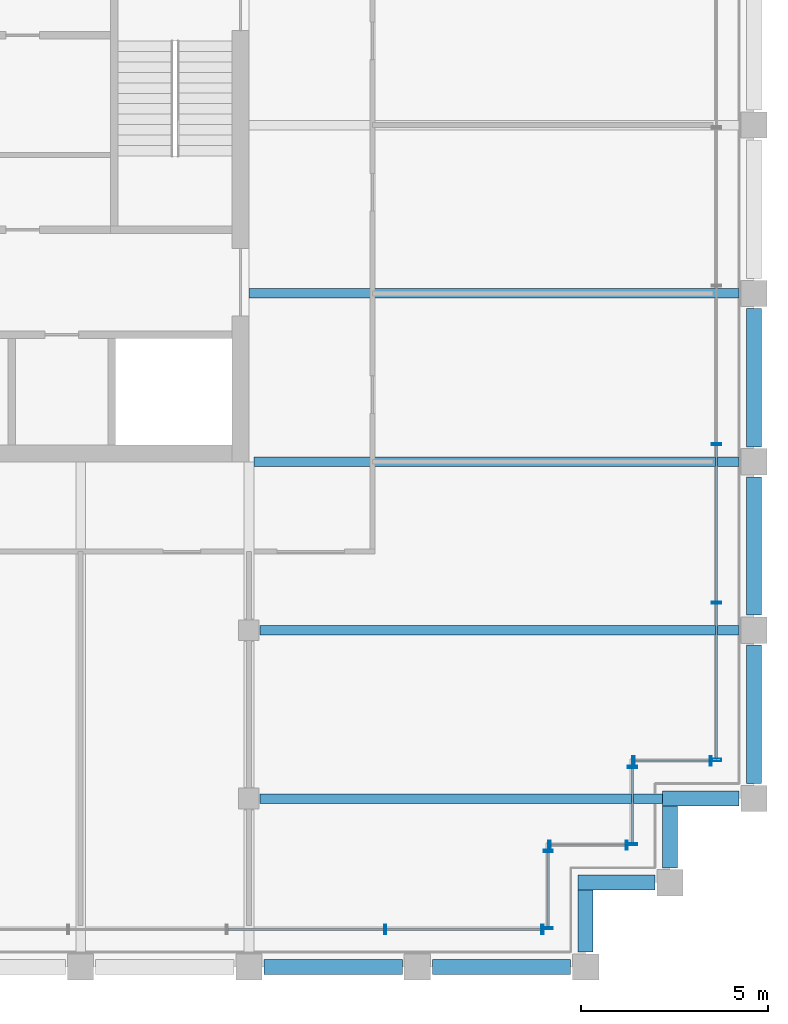
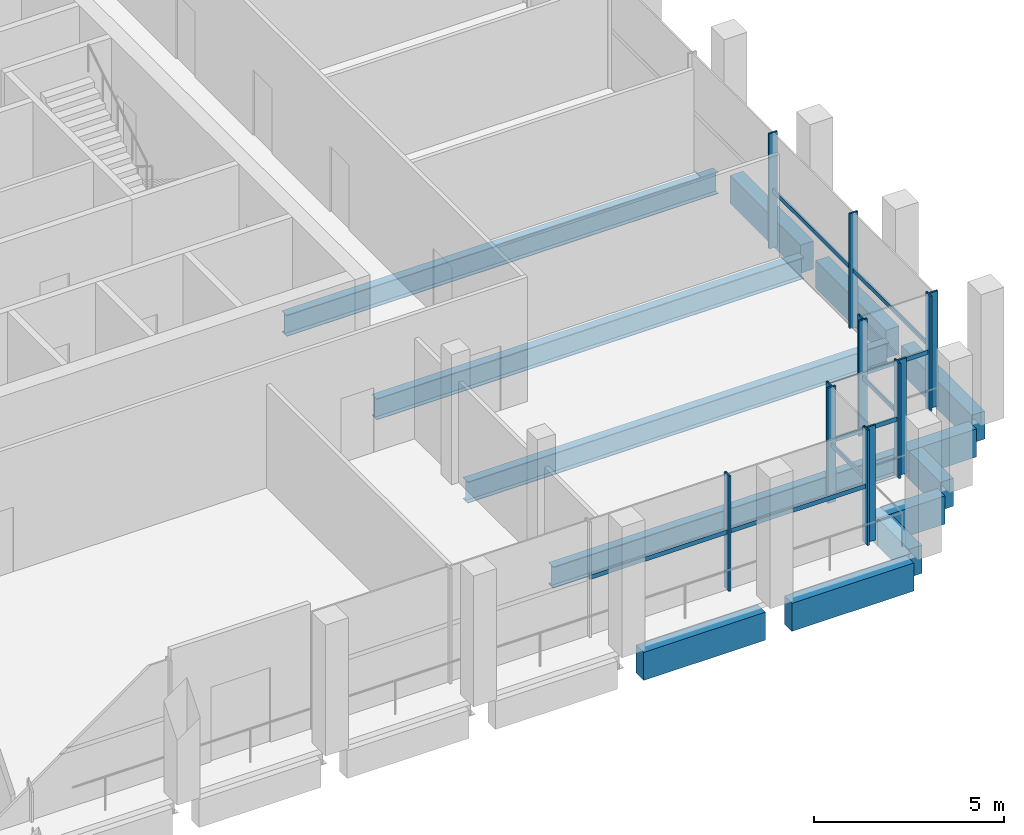
# One storey, part 8 of 17: 21 members, 13 beams, 6 elements without a shape of their own.
"""IFC4 building model written with IfcOpenShell, lengths in metres."""

from ifc_helpers import new_model, si_unit, direction, frame, origin, origin_2d, place, context, subcontext, project, spatial, rectangle, hollow_rectangle, i_section, extrude, material, material_profile, profile_set, type_object, element, aggregate, save


model = new_model("IFC4")

# Units and contexts
model_context = context("Model", 3, precision=1e-05, world=origin(), true_north=direction((0.0, 1.0)))
body_context = subcontext(model_context, "Body", "Model", "MODEL_VIEW")
ifc_project = project(units=[si_unit("LENGTHUNIT", "METRE"), si_unit("AREAUNIT", "SQUARE_METRE"), si_unit("VOLUMEUNIT", "CUBIC_METRE"), si_unit("PLANEANGLEUNIT", "RADIAN"), si_unit("MASSUNIT", "GRAM", prefix="KILO")], contexts=[model_context])

# Site, building, storey
site_placement = place(None, origin())
site = spatial("IfcSite", under=ifc_project, at=site_placement, CompositionType="ELEMENT")
building_placement = place(site_placement, origin())
building = spatial("IfcBuilding", under=site, at=building_placement, Name="Altepetl Exchange Towers", CompositionType="ELEMENT")
storey_placement = place(building_placement, frame((0.0, 0.0, 251.0)))
storey = spatial("IfcBuildingStorey", under=building, at=storey_placement, Name="L64", CompositionType="ELEMENT", Elevation=251.0)

# Beams
ifc_material_1 = material(Name="Steel S355", Category="steel")
ifc_material_profile_1 = material_profile(ifc_material_1, i_section(OverallWidth=0.25390625, OverallDepth=0.68408203125, WebThickness=0.012451171875, FlangeThickness=0.018798828125, at=origin_2d()), Name="W27X94")
ifc_profile_set_1 = profile_set([ifc_material_profile_1], Name="Steel S355")
beam_type_1 = type_object("IfcBeamType", Name="Floor beam W27X94", PredefinedType="BEAM", material=ifc_profile_set_1)
beam_1_placement = place(storey_placement, frame((58.800048828125, 31.5, -0.51708984375), z_axis=(1.0, 0.0, 0.0), x_axis=(0.0, 1.0, 0.0)))
element("IfcBeam", 1, at=beam_1_placement, inside=storey, type_object=beam_type_1, Name="bm:A:L64:006", PredefinedType="BEAM", context=body_context, shape_type="SweptSolid", body=[
    extrude(i_section(OverallWidth=0.25390625, OverallDepth=0.68408203125, WebThickness=0.012451171875, FlangeThickness=0.018798828125, at=origin_2d()), origin(), (0.0, 0.0, 1.0), 10.75),
])
beam_2_placement = place(storey_placement, frame((58.800048828125, 36.0, -0.51708984375), z_axis=(1.0, 0.0, 0.0), x_axis=(0.0, 1.0, 0.0)))
element("IfcBeam", 2, at=beam_2_placement, inside=storey, type_object=beam_type_1, Name="bm:A:L64:007", PredefinedType="BEAM", context=body_context, shape_type="SweptSolid", body=[
    extrude(i_section(OverallWidth=0.25390625, OverallDepth=0.68408203125, WebThickness=0.012451171875, FlangeThickness=0.018798828125, at=origin_2d()), origin(), (0.0, 0.0, 1.0), 12.800048828125),
])
beam_3_placement = place(storey_placement, frame((58.634033203125, 40.5, -0.51708984375), z_axis=(1.0, 0.0, 0.0), x_axis=(0.0, 1.0, 0.0)))
element("IfcBeam", 3, at=beam_3_placement, inside=storey, type_object=beam_type_1, Name="bm:A:L64:008", PredefinedType="BEAM", context=body_context, shape_type="SweptSolid", body=[
    extrude(i_section(OverallWidth=0.25390625, OverallDepth=0.68408203125, WebThickness=0.012451171875, FlangeThickness=0.018798828125, at=origin_2d()), origin(), (0.0, 0.0, 1.0), 12.966064453125),
])
beam_4_placement = place(storey_placement, frame((58.5, 45.0, -0.51708984375), z_axis=(1.0, 0.0, 0.0), x_axis=(0.0, 1.0, 0.0)))
element("IfcBeam", 4, at=beam_4_placement, inside=storey, type_object=beam_type_1, Name="bm:A:L64:009", PredefinedType="BEAM", context=body_context, shape_type="SweptSolid", body=[
    extrude(i_section(OverallWidth=0.25390625, OverallDepth=0.68408203125, WebThickness=0.012451171875, FlangeThickness=0.018798828125, at=origin_2d()), origin(), (0.0, 0.0, 1.0), 13.10009765625),
])

# Curtain wall, members
ifc_material_2 = material(Name="Aluminium 6063-T6 glazing", Category="aluminium")
curtain_wall_type = type_object("IfcCurtainWallType", Name="Executive flush glazing system", PredefinedType="NOTDEFINED", material=ifc_material_2)
curtain_wall_1_placement = place(storey_placement, origin())
curtain_wall_1 = element("IfcCurtainWall", 5, at=curtain_wall_1_placement, inside=storey, type_object=curtain_wall_type, Name="CW4 run", PredefinedType="NOTDEFINED")
ifc_material_3 = material(Name="Aluminium 6063-T6", Category="aluminium")
ifc_material_profile_2 = material_profile(ifc_material_3, hollow_rectangle(XDim=0.06005859375, YDim=0.25, WallThickness=0.0029296875, at=origin_2d()), Name="Mullion 60x250 hollow aluminium")
ifc_profile_set_2 = profile_set([ifc_material_profile_2], Name="Aluminium 6063-T6")
member_type_1 = type_object("IfcMemberType", Name="Mullion 60x250 hollow aluminium", PredefinedType="MULLION", material=ifc_profile_set_2)
member_1_placement = place(storey_placement, frame((62.140625, 28.0, 0.0)))
member_1 = element("IfcMember", 6, at=member_1_placement, type_object=member_type_1, Name="MU3 mullion", PredefinedType="MULLION", context=body_context, shape_type="SweptSolid", body=[
    extrude(hollow_rectangle(XDim=0.06005859375, YDim=0.25, WallThickness=0.0029296875, at=origin_2d()), origin(), (0.0, 0.0, 1.0), 3.699951171875),
])
member_2_placement = place(storey_placement, frame((66.344970703125, 28.0, 0.0)))
member_2 = element("IfcMember", 7, at=member_2_placement, type_object=member_type_1, Name="MU3 mullion", PredefinedType="MULLION", context=body_context, shape_type="SweptSolid", body=[
    extrude(hollow_rectangle(XDim=0.06005859375, YDim=0.25, WallThickness=0.0029296875, at=origin_2d()), origin(), (0.0, 0.0, 1.0), 3.699951171875),
])

curtain_wall_2_placement = place(storey_placement, origin())
curtain_wall_2 = element("IfcCurtainWall", 8, at=curtain_wall_2_placement, inside=storey, type_object=curtain_wall_type, Name="CW4 run", PredefinedType="NOTDEFINED")
member_3_placement = place(storey_placement, frame((66.5, 28.030029296875, 0.0), z_axis=(0.0, 0.0, 1.0), x_axis=(0.0, 1.0, 0.0)))
member_3 = element("IfcMember", 9, at=member_3_placement, type_object=member_type_1, Name="MU3 mullion", PredefinedType="MULLION", context=body_context, shape_type="SweptSolid", body=[
    extrude(hollow_rectangle(XDim=0.06005859375, YDim=0.25, WallThickness=0.0029296875, at=origin_2d()), origin(), (0.0, 0.0, 1.0), 3.699951171875),
])
member_4_placement = place(storey_placement, frame((66.5, 30.094970703125, 0.0), z_axis=(0.0, 0.0, 1.0), x_axis=(0.0, 1.0, 0.0)))
member_4 = element("IfcMember", 10, at=member_4_placement, type_object=member_type_1, Name="MU3 mullion", PredefinedType="MULLION", context=body_context, shape_type="SweptSolid", body=[
    extrude(hollow_rectangle(XDim=0.06005859375, YDim=0.25, WallThickness=0.0029296875, at=origin_2d()), origin(), (0.0, 0.0, 1.0), 3.699951171875),
])

curtain_wall_3_placement = place(storey_placement, origin())
curtain_wall_3 = element("IfcCurtainWall", 11, at=curtain_wall_3_placement, inside=storey, type_object=curtain_wall_type, Name="CW4 run", PredefinedType="NOTDEFINED")
member_5_placement = place(storey_placement, frame((66.530029296875, 30.25, 0.0)))
member_5 = element("IfcMember", 12, at=member_5_placement, type_object=member_type_1, Name="MU3 mullion", PredefinedType="MULLION", context=body_context, shape_type="SweptSolid", body=[
    extrude(hollow_rectangle(XDim=0.06005859375, YDim=0.25, WallThickness=0.0029296875, at=origin_2d()), origin(), (0.0, 0.0, 1.0), 3.699951171875),
])
member_6_placement = place(storey_placement, frame((68.594970703125, 30.25, 0.0)))
member_6 = element("IfcMember", 13, at=member_6_placement, type_object=member_type_1, Name="MU3 mullion", PredefinedType="MULLION", context=body_context, shape_type="SweptSolid", body=[
    extrude(hollow_rectangle(XDim=0.06005859375, YDim=0.25, WallThickness=0.0029296875, at=origin_2d()), origin(), (0.0, 0.0, 1.0), 3.699951171875),
])

curtain_wall_4_placement = place(storey_placement, origin())
curtain_wall_4 = element("IfcCurtainWall", 14, at=curtain_wall_4_placement, inside=storey, type_object=curtain_wall_type, Name="CW4 run", PredefinedType="NOTDEFINED")
member_7_placement = place(storey_placement, frame((68.75, 30.280029296875, 0.0), z_axis=(0.0, 0.0, 1.0), x_axis=(0.0, 1.0, 0.0)))
member_7 = element("IfcMember", 15, at=member_7_placement, type_object=member_type_1, Name="MU3 mullion", PredefinedType="MULLION", context=body_context, shape_type="SweptSolid", body=[
    extrude(hollow_rectangle(XDim=0.06005859375, YDim=0.25, WallThickness=0.0029296875, at=origin_2d()), origin(), (0.0, 0.0, 1.0), 3.699951171875),
])
member_8_placement = place(storey_placement, frame((68.75, 32.344970703125, 0.0), z_axis=(0.0, 0.0, 1.0), x_axis=(0.0, 1.0, 0.0)))
member_8 = element("IfcMember", 16, at=member_8_placement, type_object=member_type_1, Name="MU3 mullion", PredefinedType="MULLION", context=body_context, shape_type="SweptSolid", body=[
    extrude(hollow_rectangle(XDim=0.06005859375, YDim=0.25, WallThickness=0.0029296875, at=origin_2d()), origin(), (0.0, 0.0, 1.0), 3.699951171875),
])

curtain_wall_5_placement = place(storey_placement, origin())
curtain_wall_5 = element("IfcCurtainWall", 17, at=curtain_wall_5_placement, inside=storey, type_object=curtain_wall_type, Name="CW4 run", PredefinedType="NOTDEFINED")
member_9_placement = place(storey_placement, frame((68.780029296875, 32.5, 0.0)))
member_9 = element("IfcMember", 18, at=member_9_placement, type_object=member_type_1, Name="MU3 mullion", PredefinedType="MULLION", context=body_context, shape_type="SweptSolid", body=[
    extrude(hollow_rectangle(XDim=0.06005859375, YDim=0.25, WallThickness=0.0029296875, at=origin_2d()), origin(), (0.0, 0.0, 1.0), 3.699951171875),
])
member_10_placement = place(storey_placement, frame((70.844970703125, 32.5, 0.0)))
member_10 = element("IfcMember", 19, at=member_10_placement, type_object=member_type_1, Name="MU3 mullion", PredefinedType="MULLION", context=body_context, shape_type="SweptSolid", body=[
    extrude(hollow_rectangle(XDim=0.06005859375, YDim=0.25, WallThickness=0.0029296875, at=origin_2d()), origin(), (0.0, 0.0, 1.0), 3.699951171875),
])

curtain_wall_6_placement = place(storey_placement, origin())
curtain_wall_6 = element("IfcCurtainWall", 20, at=curtain_wall_6_placement, inside=storey, type_object=curtain_wall_type, Name="CW4 run", PredefinedType="NOTDEFINED")
member_11_placement = place(storey_placement, frame((71.0, 32.530029296875, 0.0), z_axis=(0.0, 0.0, 1.0), x_axis=(0.0, 1.0, 0.0)))
member_11 = element("IfcMember", 21, at=member_11_placement, type_object=member_type_1, Name="MU3 mullion", PredefinedType="MULLION", context=body_context, shape_type="SweptSolid", body=[
    extrude(hollow_rectangle(XDim=0.06005859375, YDim=0.25, WallThickness=0.0029296875, at=origin_2d()), origin(), (0.0, 0.0, 1.0), 3.699951171875),
])
member_12_placement = place(storey_placement, frame((71.0, 36.734375, 0.0), z_axis=(0.0, 0.0, 1.0), x_axis=(0.0, 1.0, 0.0)))
member_12 = element("IfcMember", 22, at=member_12_placement, type_object=member_type_1, Name="MU3 mullion", PredefinedType="MULLION", context=body_context, shape_type="SweptSolid", body=[
    extrude(hollow_rectangle(XDim=0.06005859375, YDim=0.25, WallThickness=0.0029296875, at=origin_2d()), origin(), (0.0, 0.0, 1.0), 3.699951171875),
])
member_13_placement = place(storey_placement, frame((71.0, 40.96875, 0.0), z_axis=(0.0, 0.0, 1.0), x_axis=(0.0, 1.0, 0.0)))
member_13 = element("IfcMember", 23, at=member_13_placement, type_object=member_type_1, Name="MU3 mullion", PredefinedType="MULLION", context=body_context, shape_type="SweptSolid", body=[
    extrude(hollow_rectangle(XDim=0.06005859375, YDim=0.25, WallThickness=0.0029296875, at=origin_2d()), origin(), (0.0, 0.0, 1.0), 3.699951171875),
])

# Beams
ifc_material_4 = material(Name="Concrete C50/60 precast with cantera amarilla facing", Category="concrete")
ifc_material_profile_3 = material_profile(ifc_material_4, rectangle(XDim=0.39990234375, YDim=0.89990234375, at=origin_2d()), Name="400 x 900")
ifc_profile_set_3 = profile_set([ifc_material_profile_3], Name="Concrete C50/60 precast with cantera amarilla facing")
beam_type_2 = type_object("IfcBeamType", Name="Spandrel beam 400x900 cantera amarilla", PredefinedType="SPANDREL", material=ifc_profile_set_3)
for number, where, z_axis, x_axis, name in (
    (24, (58.89990234375, 27.0, -0.625), (1.0, 0.0, 0.0), (0.0, 1.0, 0.0), "sp:A:L64:006"),
    (25, (63.39990234375, 27.0, -0.625), (1.0, 0.0, 0.0), (0.0, 1.0, 0.0), "sp:A:L64:007"),
):
    element("IfcBeam", number, at=place(storey_placement, frame(where, z_axis=z_axis, x_axis=x_axis)), inside=storey, type_object=beam_type_2, Name=name, PredefinedType="SPANDREL", context=body_context, shape_type="SweptSolid", body=[
        extrude(rectangle(XDim=0.39990234375, YDim=0.89990234375, at=origin_2d()), origin(), (0.0, 0.0, 1.0), 3.7001953125),
    ])
beam_5_placement = place(storey_placement, frame((67.5, 27.39990234375, -0.625), z_axis=(0.0, 1.0, 0.0), x_axis=(-1.0, 0.0, 0.0)))
element("IfcBeam", 26, at=beam_5_placement, inside=storey, type_object=beam_type_2, Name="sp:A:L64:008", PredefinedType="SPANDREL", context=body_context, shape_type="SweptSolid", body=[
    extrude(rectangle(XDim=0.39990234375, YDim=0.89990234375, at=origin_2d()), origin(), (0.0, 0.0, 1.0), 1.650146484375),
])
beam_6_placement = place(storey_placement, frame((67.300048828125, 29.25, -0.625), z_axis=(1.0, 0.0, 0.0), x_axis=(0.0, 1.0, 0.0)))
element("IfcBeam", 27, at=beam_6_placement, inside=storey, type_object=beam_type_2, Name="sp:A:L64:009", PredefinedType="SPANDREL", context=body_context, shape_type="SweptSolid", body=[
    extrude(rectangle(XDim=0.39990234375, YDim=0.89990234375, at=origin_2d()), origin(), (0.0, 0.0, 1.0), 2.050048828125),
])
beam_7_placement = place(storey_placement, frame((69.75, 29.64990234375, -0.625), z_axis=(0.0, 1.0, 0.0), x_axis=(-1.0, 0.0, 0.0)))
element("IfcBeam", 28, at=beam_7_placement, inside=storey, type_object=beam_type_2, Name="sp:A:L64:010", PredefinedType="SPANDREL", context=body_context, shape_type="SweptSolid", body=[
    extrude(rectangle(XDim=0.39990234375, YDim=0.89990234375, at=origin_2d()), origin(), (0.0, 0.0, 1.0), 1.650146484375),
])
beam_8_placement = place(storey_placement, frame((69.550048828125, 31.5, -0.625), z_axis=(1.0, 0.0, 0.0), x_axis=(0.0, 1.0, 0.0)))
element("IfcBeam", 29, at=beam_8_placement, inside=storey, type_object=beam_type_2, Name="sp:A:L64:011", PredefinedType="SPANDREL", context=body_context, shape_type="SweptSolid", body=[
    extrude(rectangle(XDim=0.39990234375, YDim=0.89990234375, at=origin_2d()), origin(), (0.0, 0.0, 1.0), 2.050048828125),
])
for number, where, z_axis, x_axis, name in (
    (30, (72.0, 31.89990234375, -0.625), (0.0, 1.0, 0.0), (-1.0, 0.0, 0.0), "sp:A:L64:012"),
    (31, (72.0, 36.39990234375, -0.625), (0.0, 1.0, 0.0), (-1.0, 0.0, 0.0), "sp:A:L64:013"),
    (32, (72.0, 40.89990234375, -0.625), (0.0, 1.0, 0.0), (-1.0, 0.0, 0.0), "sp:A:L64:014"),
):
    element("IfcBeam", number, at=place(storey_placement, frame(where, z_axis=z_axis, x_axis=x_axis)), inside=storey, type_object=beam_type_2, Name=name, PredefinedType="SPANDREL", context=body_context, shape_type="SweptSolid", body=[
        extrude(rectangle(XDim=0.39990234375, YDim=0.89990234375, at=origin_2d()), origin(), (0.0, 0.0, 1.0), 3.7001953125),
    ])

# Member
ifc_material_profile_4 = material_profile(ifc_material_3, hollow_rectangle(XDim=0.050048828125, YDim=0.139892578125, WallThickness=0.0029296875, at=origin_2d()), Name="Transom 50x140 hollow aluminium")
ifc_profile_set_4 = profile_set([ifc_material_profile_4], Name="Aluminium 6063-T6")
member_type_2 = type_object("IfcMemberType", Name="Transom 50x140 hollow aluminium", PredefinedType="USERDEFINED", material=ifc_profile_set_4)
member_14_placement = place(storey_placement, frame((57.936279296875, 28.0, 1.85009765625), z_axis=(1.0, 0.0, 0.0), x_axis=(0.0, 1.0, 0.0)))
member_14 = element("IfcMember", 33, at=member_14_placement, type_object=member_type_2, Name="TR2 transom", ObjectType="TRANSOM", PredefinedType="USERDEFINED", context=body_context, shape_type="SweptSolid", body=[
    extrude(hollow_rectangle(XDim=0.050048828125, YDim=0.139892578125, WallThickness=0.0029296875, at=origin_2d()), origin(), (0.0, 0.0, 1.0), 4.17431640625),
])

member_15_placement = place(storey_placement, frame((62.170654296875, 28.0, 1.85009765625), z_axis=(1.0, 0.0, 0.0), x_axis=(0.0, 1.0, 0.0)))
member_15 = element("IfcMember", 34, at=member_15_placement, type_object=member_type_2, Name="TR2 transom", ObjectType="TRANSOM", PredefinedType="USERDEFINED", context=body_context, shape_type="SweptSolid", body=[
    extrude(hollow_rectangle(XDim=0.050048828125, YDim=0.139892578125, WallThickness=0.0029296875, at=origin_2d()), origin(), (0.0, 0.0, 1.0), 4.144287109375),
])

aggregate(curtain_wall_1, [member_1, member_2, member_14, member_15])

member_16_placement = place(storey_placement, frame((66.5, 28.06005859375, 1.85009765625), z_axis=(0.0, 1.0, 0.0), x_axis=(-1.0, 0.0, 0.0)))
member_16 = element("IfcMember", 35, at=member_16_placement, type_object=member_type_2, Name="TR2 transom", ObjectType="TRANSOM", PredefinedType="USERDEFINED", context=body_context, shape_type="SweptSolid", body=[
    extrude(hollow_rectangle(XDim=0.050048828125, YDim=0.139892578125, WallThickness=0.0029296875, at=origin_2d()), origin(), (0.0, 0.0, 1.0), 2.0048828125),
])

aggregate(curtain_wall_2, [member_3, member_4, member_16])

member_17_placement = place(storey_placement, frame((66.56005859375, 30.25, 1.85009765625), z_axis=(1.0, 0.0, 0.0), x_axis=(0.0, 1.0, 0.0)))
member_17 = element("IfcMember", 36, at=member_17_placement, type_object=member_type_2, Name="TR2 transom", ObjectType="TRANSOM", PredefinedType="USERDEFINED", context=body_context, shape_type="SweptSolid", body=[
    extrude(hollow_rectangle(XDim=0.050048828125, YDim=0.139892578125, WallThickness=0.0029296875, at=origin_2d()), origin(), (0.0, 0.0, 1.0), 2.0048828125),
])

aggregate(curtain_wall_3, [member_5, member_6, member_17])

member_18_placement = place(storey_placement, frame((68.75, 30.31005859375, 1.85009765625), z_axis=(0.0, 1.0, 0.0), x_axis=(-1.0, 0.0, 0.0)))
member_18 = element("IfcMember", 37, at=member_18_placement, type_object=member_type_2, Name="TR2 transom", ObjectType="TRANSOM", PredefinedType="USERDEFINED", context=body_context, shape_type="SweptSolid", body=[
    extrude(hollow_rectangle(XDim=0.050048828125, YDim=0.139892578125, WallThickness=0.0029296875, at=origin_2d()), origin(), (0.0, 0.0, 1.0), 2.0048828125),
])

aggregate(curtain_wall_4, [member_7, member_8, member_18])

member_19_placement = place(storey_placement, frame((68.81005859375, 32.5, 1.85009765625), z_axis=(1.0, 0.0, 0.0), x_axis=(0.0, 1.0, 0.0)))
member_19 = element("IfcMember", 38, at=member_19_placement, type_object=member_type_2, Name="TR2 transom", ObjectType="TRANSOM", PredefinedType="USERDEFINED", context=body_context, shape_type="SweptSolid", body=[
    extrude(hollow_rectangle(XDim=0.050048828125, YDim=0.139892578125, WallThickness=0.0029296875, at=origin_2d()), origin(), (0.0, 0.0, 1.0), 2.0048828125),
])

aggregate(curtain_wall_5, [member_9, member_10, member_19])

member_20_placement = place(storey_placement, frame((71.0, 32.56005859375, 1.85009765625), z_axis=(0.0, 1.0, 0.0), x_axis=(-1.0, 0.0, 0.0)))
member_20 = element("IfcMember", 39, at=member_20_placement, type_object=member_type_2, Name="TR2 transom", ObjectType="TRANSOM", PredefinedType="USERDEFINED", context=body_context, shape_type="SweptSolid", body=[
    extrude(hollow_rectangle(XDim=0.050048828125, YDim=0.139892578125, WallThickness=0.0029296875, at=origin_2d()), origin(), (0.0, 0.0, 1.0), 4.144287109375),
])

member_21_placement = place(storey_placement, frame((71.0, 36.764404296875, 1.85009765625), z_axis=(0.0, 1.0, 0.0), x_axis=(-1.0, 0.0, 0.0)))
member_21 = element("IfcMember", 40, at=member_21_placement, type_object=member_type_2, Name="TR2 transom", ObjectType="TRANSOM", PredefinedType="USERDEFINED", context=body_context, shape_type="SweptSolid", body=[
    extrude(hollow_rectangle(XDim=0.050048828125, YDim=0.139892578125, WallThickness=0.0029296875, at=origin_2d()), origin(), (0.0, 0.0, 1.0), 4.17431640625),
])

aggregate(curtain_wall_6, [member_11, member_12, member_13, member_20, member_21])

save(model, "model.ifc")
